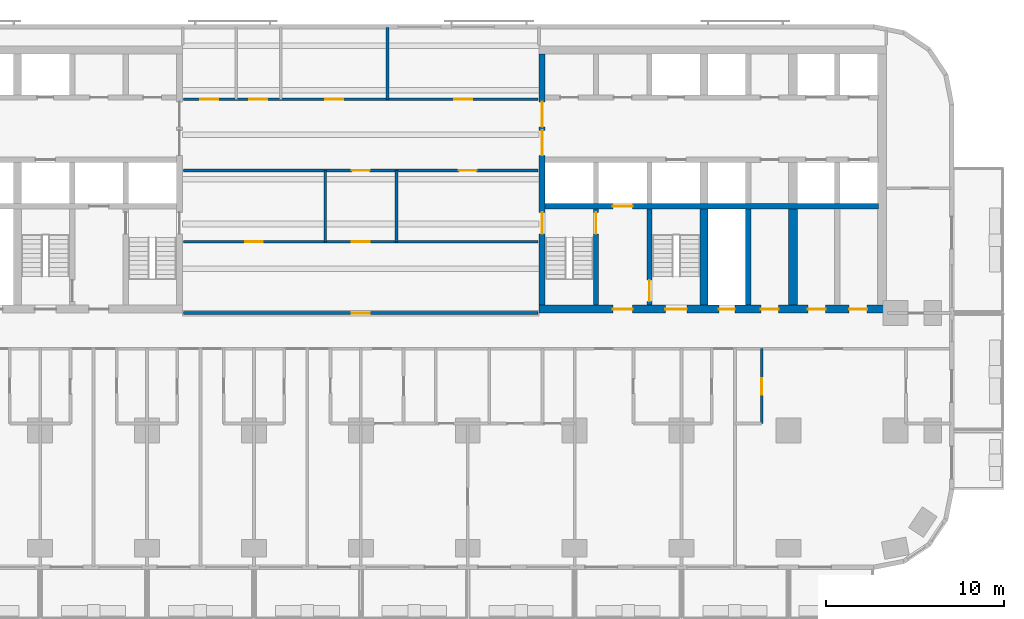
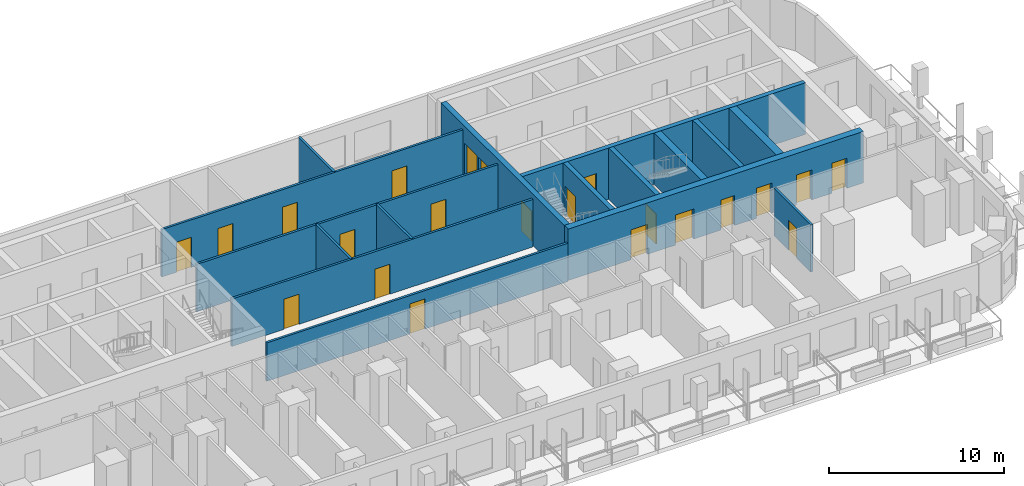
# One storey, part 6 of 13: 22 doors, 16 walls, 22 openings.
"""IFC4 building model written with IfcOpenShell, lengths in metres."""

from ifc_helpers import new_model, si_unit, direction, frame, frame_2d, origin, place, context, subcontext, project, spatial, rectangle, extrude, material, layer, layer_set, type_object, element, fill, save


model = new_model("IFC4")

# Units and contexts
model_context = context("Model", 3, precision=1e-05, world=origin(), true_north=direction((0.0, 1.0)))
body_context = subcontext(model_context, "Body", "Model", "MODEL_VIEW")
ifc_project = project(units=[si_unit("LENGTHUNIT", "METRE"), si_unit("AREAUNIT", "SQUARE_METRE"), si_unit("VOLUMEUNIT", "CUBIC_METRE"), si_unit("PLANEANGLEUNIT", "RADIAN"), si_unit("MASSUNIT", "GRAM", prefix="KILO")], contexts=[model_context])

# Site, building, storey
site_placement = place(None, origin())
site = spatial("IfcSite", under=ifc_project, at=site_placement, CompositionType="ELEMENT")
building_placement = place(site_placement, origin())
building = spatial("IfcBuilding", under=site, at=building_placement, Name="Torana Hotel and Residences", CompositionType="ELEMENT")
storey_placement = place(building_placement, frame((0.0, 0.0, 56.39990234375)))
storey = spatial("IfcBuildingStorey", under=building, at=storey_placement, Name="L13", CompositionType="ELEMENT", Elevation=56.39990234375)

# Wall, opening, door
ifc_material_1 = material(Name="Concrete C80/95", Category="concrete")
ifc_layer_1 = layer(ifc_material_1, 0.300048828125)
ifc_layer_set_1 = layer_set([ifc_layer_1], Name="CORE WALL 300 C80/95")
wall_type_1 = type_object("IfcWallType", Name="CORE WALL 300 C80/95", PredefinedType="SHEAR", material=ifc_layer_set_1)
wall_1_placement = place(storey_placement, frame((10.35009765625, -9.0, 0.0), z_axis=(0.0, 0.0, 1.0), x_axis=(1.0, 0.0, 0.0)))
wall_1 = element("IfcWall", 1, at=wall_1_placement, inside=storey, type_object=wall_type_1, Name="Core wall E band", PredefinedType="SHEAR", context=body_context, shape_type="SweptSolid", body=[
    extrude(rectangle(XDim=18.699951171875, YDim=0.300048828125, at=frame_2d((9.35009765625, 0.0))), origin(), (0.0, 0.0, 1.0), 3.60009765625),
])
opening_1_placement = place(wall_1_placement, frame((3.800048828125, 0.0, 0.0)))
opening_1 = element("IfcOpeningElement", 2, at=opening_1_placement, cuts=wall_1, Name="Opening LD", PredefinedType="OPENING", context=body_context, shape_type="SweptSolid", body=[
    extrude(rectangle(XDim=1.10009765625, YDim=2.10009765625, at=frame_2d((0.550048828125, 1.050048828125))), frame((0.0, 0.159912109375, 0.0), z_axis=(0.0, -1.0, 0.0), x_axis=(1.0, 0.0, 0.0)), (0.0, 0.0, 1.0), 0.320068359375),
])
ifc_material_2 = material(Name="Stainless steel 316", Category="steel")
door_type_1 = type_object("IfcDoorType", Name="LIFT LANDING DOOR LD 1100x2100", OperationType="DOUBLE_DOOR_SLIDING", PredefinedType="USERDEFINED", material=ifc_material_2)
door_1_placement = place(opening_1_placement, origin())
door_1 = element("IfcDoor", 3, at=door_1_placement, inside=storey, type_object=door_type_1, Name="Lift landing door FF2 L13", ObjectType="LIFT LANDING DOOR", OperationType="DOUBLE_DOOR_SLIDING", OverallHeight=2.10009765625, OverallWidth=1.10009765625, PredefinedType="USERDEFINED", context=body_context, shape_type="SweptSolid", body=[
    extrude(rectangle(XDim=1.10009765625, YDim=2.10009765625, at=frame_2d((0.550048828125, 1.050048828125))), frame((0.0, 0.02490234375, 0.0), z_axis=(0.0, -1.0, 0.0), x_axis=(1.0, 0.0, 0.0)), (0.0, 0.0, 1.0), 0.050048828125),
])
fill(opening_1, door_1)

wall_2_placement = place(storey_placement, frame((13.199951171875, -14.550048828125, 0.0), z_axis=(0.0, 0.0, 1.0), x_axis=(0.0, 1.0, 0.0)))
wall_2 = element("IfcWall", 4, at=wall_2_placement, inside=storey, type_object=wall_type_1, Name="Core wall E x3.05-band", PredefinedType="SHEAR", context=body_context, shape_type="SweptSolid", body=[
    extrude(rectangle(XDim=5.400146484375, YDim=0.300048828125, at=frame_2d((2.7001953125, 0.0))), origin(), (0.0, 0.0, 1.0), 3.60009765625),
])
opening_2_placement = place(wall_2_placement, frame((4.0, 0.0, 0.0)))
opening_2 = element("IfcOpeningElement", 5, at=opening_2_placement, cuts=wall_2, Name="Opening L13-31", PredefinedType="OPENING", context=body_context, shape_type="SweptSolid", body=[
    extrude(rectangle(XDim=1.199951171875, YDim=2.10009765625, at=frame_2d((0.60009765625, 1.050048828125))), frame((0.0, 0.159912109375, 0.0), z_axis=(0.0, -1.0, 0.0), x_axis=(1.0, 0.0, 0.0)), (0.0, 0.0, 1.0), 0.320068359375),
])
ifc_material_3 = material(Name="Steel S235", Category="steel")
door_type_2 = type_object("IfcDoorType", Name="STAIR FIRE DOOR D3 1200x2100", OperationType="SINGLE_SWING_LEFT", PredefinedType="DOOR", material=ifc_material_3)
door_2_placement = place(opening_2_placement, origin())
door_2 = element("IfcDoor", 6, at=door_2_placement, inside=storey, type_object=door_type_2, Name="Stair-A-lobby door L13", OperationType="SINGLE_SWING_LEFT", OverallHeight=2.10009765625, OverallWidth=1.199951171875, PredefinedType="DOOR", context=body_context, shape_type="SweptSolid", body=[
    extrude(rectangle(XDim=1.199951171875, YDim=2.10009765625, at=frame_2d((0.60009765625, 1.050048828125))), frame((0.0, 0.02490234375, 0.0), z_axis=(0.0, -1.0, 0.0), x_axis=(1.0, 0.0, 0.0)), (0.0, 0.0, 1.0), 0.050048828125),
])
fill(opening_2, door_2)

wall_3_placement = place(storey_placement, frame((16.199951171875, -14.550048828125, 0.0), z_axis=(0.0, 0.0, 1.0), x_axis=(0.0, 1.0, 0.0)))
wall_3 = element("IfcWall", 7, at=wall_3_placement, inside=storey, type_object=wall_type_1, Name="Core wall E x6.05-band", PredefinedType="SHEAR", context=body_context, shape_type="SweptSolid", body=[
    extrude(rectangle(XDim=5.400146484375, YDim=0.300048828125, at=frame_2d((2.7001953125, 0.0))), origin(), (0.0, 0.0, 1.0), 3.60009765625),
])
opening_3_placement = place(wall_3_placement, frame((0.199951171875, 0.0, 0.0)))
opening_3 = element("IfcOpeningElement", 8, at=opening_3_placement, cuts=wall_3, Name="Opening L13-32", PredefinedType="OPENING", context=body_context, shape_type="SweptSolid", body=[
    extrude(rectangle(XDim=1.199951171875, YDim=2.10009765625, at=frame_2d((0.60009765625, 1.050048828125))), frame((0.0, 0.159912109375, 0.0), z_axis=(0.0, -1.0, 0.0), x_axis=(1.0, 0.0, 0.0)), (0.0, 0.0, 1.0), 0.320068359375),
])
door_3_placement = place(opening_3_placement, frame((0.60009765625, 0.0, 0.0), z_axis=(0.0, 0.0, 1.0), x_axis=(-1.0, 0.0, 0.0)))
door_3 = element("IfcDoor", 9, at=door_3_placement, inside=storey, type_object=door_type_2, Name="Stair-B-lobby door L13", OperationType="SINGLE_SWING_LEFT", OverallHeight=2.10009765625, OverallWidth=1.199951171875, PredefinedType="DOOR", context=body_context, shape_type="SweptSolid", body=[
    extrude(rectangle(XDim=1.199951171875, YDim=2.10009765625, at=frame_2d((0.0, 1.050048828125))), frame((0.0, -0.02490234375, 0.0), z_axis=(0.0, 1.0, 0.0), x_axis=(-1.0, 0.0, 0.0)), (0.0, 0.0, 1.0), 0.050048828125),
])
fill(opening_3, door_3)

# Wall
wall_4_placement = place(storey_placement, frame((21.75, -14.550048828125, 0.0), z_axis=(0.0, 0.0, 1.0), x_axis=(0.0, 1.0, 0.0)))
element("IfcWall", 10, at=wall_4_placement, inside=storey, type_object=wall_type_1, Name="Core wall E mm-band", PredefinedType="SHEAR", context=body_context, shape_type="SweptSolid", body=[
    extrude(rectangle(XDim=5.400146484375, YDim=0.300048828125, at=frame_2d((2.7001953125, 0.0))), origin(), (0.0, 0.0, 1.0), 3.60009765625),
])

# Wall, openings, doors
ifc_material_4 = material(Name="Concrete C80/95", Category="concrete")
ifc_layer_2 = layer(ifc_material_4, 0.35009765625)
ifc_layer_set_2 = layer_set([ifc_layer_2], Name="CORE WALL 350 C80/95")
wall_type_2 = type_object("IfcWallType", Name="CORE WALL 350 C80/95", PredefinedType="SHEAR", material=ifc_layer_set_2)
wall_5_placement = place(storey_placement, frame((10.175048828125, -14.550048828125, 0.0), z_axis=(0.0, 0.0, 1.0), x_axis=(0.0, 1.0, 0.0)))
wall_5 = element("IfcWall", 11, at=wall_5_placement, inside=storey, type_object=wall_type_2, Name="Core wall E arch", PredefinedType="SHEAR", context=body_context, shape_type="SweptSolid", body=[
    extrude(rectangle(XDim=14.10009765625, YDim=0.35009765625, at=frame_2d((7.050048828125, 0.0))), origin(), (0.0, 0.0, 1.0), 3.60009765625),
])
opening_4_placement = place(wall_5_placement, frame((8.39990234375, 0.0, 0.0)))
opening_4 = element("IfcOpeningElement", 12, at=opening_4_placement, cuts=wall_5, Name="Opening L13-17", PredefinedType="OPENING", context=body_context, shape_type="SweptSolid", body=[
    extrude(rectangle(XDim=1.39990234375, YDim=2.39990234375, at=frame_2d((0.699951171875, 1.199951171875))), frame((0.0, 0.18505859375, 0.0), z_axis=(0.0, -1.0, 0.0), x_axis=(1.0, 0.0, 0.0)), (0.0, 0.0, 1.0), 0.3701171875),
])
opening_5_placement = place(wall_5_placement, frame((10.0, 0.0, 0.0)))
opening_5 = element("IfcOpeningElement", 13, at=opening_5_placement, cuts=wall_5, Name="Opening L13-18", PredefinedType="OPENING", context=body_context, shape_type="SweptSolid", body=[
    extrude(rectangle(XDim=1.39990234375, YDim=2.39990234375, at=frame_2d((0.699951171875, 1.199951171875))), frame((0.0, 0.18505859375, 0.0), z_axis=(0.0, -1.0, 0.0), x_axis=(1.0, 0.0, 0.0)), (0.0, 0.0, 1.0), 0.3701171875),
])
opening_6_placement = place(wall_5_placement, frame((4.0, 0.0, 0.0)))
opening_6 = element("IfcOpeningElement", 14, at=opening_6_placement, cuts=wall_5, Name="Opening L13-19", PredefinedType="OPENING", context=body_context, shape_type="SweptSolid", body=[
    extrude(rectangle(XDim=1.199951171875, YDim=2.10009765625, at=frame_2d((0.60009765625, 1.050048828125))), frame((0.0, 0.18505859375, 0.0), z_axis=(0.0, -1.0, 0.0), x_axis=(1.0, 0.0, 0.0)), (0.0, 0.0, 1.0), 0.3701171875),
])
ifc_material_5 = material(Name="Steel S235", Category="steel")
door_type_3 = type_object("IfcDoorType", Name="LOBBY FIRE DOOR D4 1400x2400", OperationType="DOUBLE_DOOR_SINGLE_SWING", PredefinedType="DOOR", material=ifc_material_5)
door_4_placement = place(opening_4_placement, origin())
door_4 = element("IfcDoor", 15, at=door_4_placement, inside=storey, type_object=door_type_3, Name="Lobby-1 door L13", OperationType="DOUBLE_DOOR_SINGLE_SWING", OverallHeight=2.39990234375, OverallWidth=1.39990234375, PredefinedType="DOOR", context=body_context, shape_type="SweptSolid", body=[
    extrude(rectangle(XDim=1.39990234375, YDim=2.39990234375, at=frame_2d((0.699951171875, 1.199951171875))), frame((0.0, 0.02490234375, 0.0), z_axis=(0.0, -1.0, 0.0), x_axis=(1.0, 0.0, 0.0)), (0.0, 0.0, 1.0), 0.050048828125),
])
fill(opening_4, door_4)
door_5_placement = place(opening_5_placement, origin())
door_5 = element("IfcDoor", 16, at=door_5_placement, inside=storey, type_object=door_type_3, Name="Lobby-2 door L13", OperationType="DOUBLE_DOOR_SINGLE_SWING", OverallHeight=2.39990234375, OverallWidth=1.39990234375, PredefinedType="DOOR", context=body_context, shape_type="SweptSolid", body=[
    extrude(rectangle(XDim=1.39990234375, YDim=2.39990234375, at=frame_2d((0.699951171875, 1.199951171875))), frame((0.0, 0.02490234375, 0.0), z_axis=(0.0, -1.0, 0.0), x_axis=(1.0, 0.0, 0.0)), (0.0, 0.0, 1.0), 0.050048828125),
])
fill(opening_5, door_5)
door_6_placement = place(opening_6_placement, frame((0.60009765625, 0.0, 0.0), z_axis=(0.0, 0.0, 1.0), x_axis=(-1.0, 0.0, 0.0)))
door_6 = element("IfcDoor", 17, at=door_6_placement, inside=storey, type_object=door_type_2, Name="Stair-A door L13", OperationType="SINGLE_SWING_RIGHT", OverallHeight=2.10009765625, OverallWidth=1.199951171875, PredefinedType="DOOR", context=body_context, shape_type="SweptSolid", body=[
    extrude(rectangle(XDim=1.199951171875, YDim=2.10009765625, at=frame_2d((0.0, 1.050048828125))), frame((0.0, -0.02490234375, 0.0), z_axis=(0.0, 1.0, 0.0), x_axis=(-1.0, 0.0, 0.0)), (0.0, 0.0, 1.0), 0.050048828125),
])
fill(opening_6, door_6)

ifc_material_6 = material(Name="Concrete C80/95", Category="concrete")
ifc_layer_3 = layer(ifc_material_6, 0.449951171875)
ifc_layer_set_3 = layer_set([ifc_layer_3], Name="CORE WALL 450 C80/95")
wall_type_3 = type_object("IfcWallType", Name="CORE WALL 450 C80/95", PredefinedType="SHEAR", material=ifc_layer_set_3)
wall_6_placement = place(storey_placement, frame((10.0, -14.77490234375, 0.0), z_axis=(0.0, 0.0, 1.0), x_axis=(1.0, 0.0, 0.0)))
wall_6 = element("IfcWall", 18, at=wall_6_placement, inside=storey, type_object=wall_type_3, Name="Core wall E front", PredefinedType="SHEAR", context=body_context, shape_type="SweptSolid", body=[
    extrude(rectangle(XDim=19.5, YDim=0.449951171875, at=frame_2d((9.75, 0.0))), origin(), (0.0, 0.0, 1.0), 3.60009765625),
])
opening_7_placement = place(wall_6_placement, frame((7.10009765625, 0.0, 0.0)))
opening_7 = element("IfcOpeningElement", 19, at=opening_7_placement, cuts=wall_6, Name="Opening L13-20", PredefinedType="OPENING", context=body_context, shape_type="SweptSolid", body=[
    extrude(rectangle(XDim=1.199951171875, YDim=2.10009765625, at=frame_2d((0.60009765625, 1.050048828125))), frame((0.0, 0.23486328125, 0.0), z_axis=(0.0, -1.0, 0.0), x_axis=(1.0, 0.0, 0.0)), (0.0, 0.0, 1.0), 0.469970703125),
])
opening_8_placement = place(wall_6_placement, frame((4.14990234375, 0.0, 0.0)))
opening_8 = element("IfcOpeningElement", 20, at=opening_8_placement, cuts=wall_6, Name="Opening L13-21", PredefinedType="OPENING", context=body_context, shape_type="SweptSolid", body=[
    extrude(rectangle(XDim=1.10009765625, YDim=2.10009765625, at=frame_2d((0.550048828125, 1.050048828125))), frame((0.0, 0.23486328125, 0.0), z_axis=(0.0, -1.0, 0.0), x_axis=(1.0, 0.0, 0.0)), (0.0, 0.0, 1.0), 0.469970703125),
])
opening_9_placement = place(wall_6_placement, frame((10.10009765625, 0.0, 0.0)))
opening_9 = element("IfcOpeningElement", 21, at=opening_9_placement, cuts=wall_6, Name="Opening L13-22", PredefinedType="OPENING", context=body_context, shape_type="SweptSolid", body=[
    extrude(rectangle(XDim=0.89990234375, YDim=2.10009765625, at=frame_2d((0.449951171875, 1.050048828125))), frame((0.0, 0.23486328125, 0.0), z_axis=(0.0, -1.0, 0.0), x_axis=(1.0, 0.0, 0.0)), (0.0, 0.0, 1.0), 0.469970703125),
])
opening_10_placement = place(wall_6_placement, frame((12.449951171875, 0.0, 0.0)))
opening_10 = element("IfcOpeningElement", 22, at=opening_10_placement, cuts=wall_6, Name="Opening L13-23", PredefinedType="OPENING", context=body_context, shape_type="SweptSolid", body=[
    extrude(rectangle(XDim=1.0, YDim=2.10009765625, at=frame_2d((0.5, 1.050048828125))), frame((0.0, 0.23486328125, 0.0), z_axis=(0.0, -1.0, 0.0), x_axis=(1.0, 0.0, 0.0)), (0.0, 0.0, 1.0), 0.469970703125),
])
opening_11_placement = place(wall_6_placement, frame((15.08740234375, 0.0, 0.0)))
opening_11 = element("IfcOpeningElement", 23, at=opening_11_placement, cuts=wall_6, Name="Opening L13-24", PredefinedType="OPENING", context=body_context, shape_type="SweptSolid", body=[
    extrude(rectangle(XDim=1.0, YDim=2.10009765625, at=frame_2d((0.5, 1.050048828125))), frame((0.0, 0.23486328125, 0.0), z_axis=(0.0, -1.0, 0.0), x_axis=(1.0, 0.0, 0.0)), (0.0, 0.0, 1.0), 0.469970703125),
])
opening_12_placement = place(wall_6_placement, frame((17.41259765625, 0.0, 0.0)))
opening_12 = element("IfcOpeningElement", 24, at=opening_12_placement, cuts=wall_6, Name="Opening L13-25", PredefinedType="OPENING", context=body_context, shape_type="SweptSolid", body=[
    extrude(rectangle(XDim=1.0, YDim=2.10009765625, at=frame_2d((0.5, 1.050048828125))), frame((0.0, 0.23486328125, 0.0), z_axis=(0.0, -1.0, 0.0), x_axis=(1.0, 0.0, 0.0)), (0.0, 0.0, 1.0), 0.469970703125),
])
ifc_material_7 = material(Name="Steel S235", Category="steel")
door_type_4 = type_object("IfcDoorType", Name="CORE ROOM FIRE DOOR D14 1000x2100", OperationType="SINGLE_SWING_LEFT", PredefinedType="DOOR", material=ifc_material_7)
door_7_placement = place(opening_10_placement, origin())
door_7 = element("IfcDoor", 25, at=door_7_placement, inside=storey, type_object=door_type_4, Name="M-Room door L13", OperationType="SINGLE_SWING_RIGHT", OverallHeight=2.10009765625, OverallWidth=1.0, PredefinedType="DOOR", context=body_context, shape_type="SweptSolid", body=[
    extrude(rectangle(XDim=1.0, YDim=2.10009765625, at=frame_2d((0.5, 1.050048828125))), frame((0.0, 0.02490234375, 0.0), z_axis=(0.0, -1.0, 0.0), x_axis=(1.0, 0.0, 0.0)), (0.0, 0.0, 1.0), 0.050048828125),
])
fill(opening_10, door_7)
door_8_placement = place(opening_11_placement, origin())
door_8 = element("IfcDoor", 26, at=door_8_placement, inside=storey, type_object=door_type_4, Name="L-A door L13", OperationType="SINGLE_SWING_RIGHT", OverallHeight=2.10009765625, OverallWidth=1.0, PredefinedType="DOOR", context=body_context, shape_type="SweptSolid", body=[
    extrude(rectangle(XDim=1.0, YDim=2.10009765625, at=frame_2d((0.5, 1.050048828125))), frame((0.0, 0.02490234375, 0.0), z_axis=(0.0, -1.0, 0.0), x_axis=(1.0, 0.0, 0.0)), (0.0, 0.0, 1.0), 0.050048828125),
])
fill(opening_11, door_8)
door_9_placement = place(opening_12_placement, origin())
door_9 = element("IfcDoor", 27, at=door_9_placement, inside=storey, type_object=door_type_4, Name="L-B door L13", OperationType="SINGLE_SWING_RIGHT", OverallHeight=2.10009765625, OverallWidth=1.0, PredefinedType="DOOR", context=body_context, shape_type="SweptSolid", body=[
    extrude(rectangle(XDim=1.0, YDim=2.10009765625, at=frame_2d((0.5, 1.050048828125))), frame((0.0, 0.02490234375, 0.0), z_axis=(0.0, -1.0, 0.0), x_axis=(1.0, 0.0, 0.0)), (0.0, 0.0, 1.0), 0.050048828125),
])
fill(opening_12, door_9)
ifc_material_8 = material(Name="Steel S235", Category="steel")
door_type_5 = type_object("IfcDoorType", Name="FIRE-FIGHTING LOBBY DOOR D8 1100x2100", OperationType="SINGLE_SWING_LEFT", PredefinedType="DOOR", material=ifc_material_8)
door_10_placement = place(opening_8_placement, origin())
door_10 = element("IfcDoor", 28, at=door_10_placement, inside=storey, type_object=door_type_5, Name="FF-lobby door L13", OperationType="SINGLE_SWING_RIGHT", OverallHeight=2.10009765625, OverallWidth=1.10009765625, PredefinedType="DOOR", context=body_context, shape_type="SweptSolid", body=[
    extrude(rectangle(XDim=1.10009765625, YDim=2.10009765625, at=frame_2d((0.550048828125, 1.050048828125))), frame((0.0, 0.02490234375, 0.0), z_axis=(0.0, -1.0, 0.0), x_axis=(1.0, 0.0, 0.0)), (0.0, 0.0, 1.0), 0.050048828125),
])
fill(opening_8, door_10)
ifc_material_9 = material(Name="Steel S235", Category="steel")
door_type_6 = type_object("IfcDoorType", Name="RISER ACCESS DOOR D5 900x2100", OperationType="SINGLE_SWING_LEFT", PredefinedType="DOOR", material=ifc_material_9)
door_11_placement = place(opening_9_placement, origin())
door_11 = element("IfcDoor", 29, at=door_11_placement, inside=storey, type_object=door_type_6, Name="M-Riser door L13", OperationType="SINGLE_SWING_RIGHT", OverallHeight=2.10009765625, OverallWidth=0.89990234375, PredefinedType="DOOR", context=body_context, shape_type="SweptSolid", body=[
    extrude(rectangle(XDim=0.89990234375, YDim=2.10009765625, at=frame_2d((0.449951171875, 1.050048828125))), frame((0.0, 0.02490234375, 0.0), z_axis=(0.0, -1.0, 0.0), x_axis=(1.0, 0.0, 0.0)), (0.0, 0.0, 1.0), 0.050048828125),
])
fill(opening_9, door_11)
door_12_placement = place(opening_7_placement, origin())
door_12 = element("IfcDoor", 30, at=door_12_placement, inside=storey, type_object=door_type_2, Name="Stair-B door L13", OperationType="SINGLE_SWING_RIGHT", OverallHeight=2.10009765625, OverallWidth=1.199951171875, PredefinedType="DOOR", context=body_context, shape_type="SweptSolid", body=[
    extrude(rectangle(XDim=1.199951171875, YDim=2.10009765625, at=frame_2d((0.60009765625, 1.050048828125))), frame((0.0, 0.02490234375, 0.0), z_axis=(0.0, -1.0, 0.0), x_axis=(1.0, 0.0, 0.0)), (0.0, 0.0, 1.0), 0.050048828125),
])
fill(opening_7, door_12)

# Walls
wall_7_placement = place(storey_placement, frame((19.27490234375, -14.550048828125, 0.0), z_axis=(0.0, 0.0, 1.0), x_axis=(0.0, 1.0, 0.0)))
element("IfcWall", 31, at=wall_7_placement, inside=storey, type_object=wall_type_3, Name="Core wall E hm-band", PredefinedType="SHEAR", context=body_context, shape_type="SweptSolid", body=[
    extrude(rectangle(XDim=5.400146484375, YDim=0.449951171875, at=frame_2d((2.7001953125, 0.0))), origin(), (0.0, 0.0, 1.0), 3.60009765625),
])
ifc_material_10 = material(Name="Concrete C80/95", Category="concrete")
ifc_layer_4 = layer(ifc_material_10, 0.5)
ifc_layer_set_4 = layer_set([ifc_layer_4], Name="CORE WALL 500 C80/95")
wall_type_4 = type_object("IfcWallType", Name="CORE WALL 500 C80/95", PredefinedType="SHEAR", material=ifc_layer_set_4)
wall_8_placement = place(storey_placement, frame((24.25, -14.550048828125, 0.0), z_axis=(0.0, 0.0, 1.0), x_axis=(0.0, 1.0, 0.0)))
element("IfcWall", 32, at=wall_8_placement, inside=storey, type_object=wall_type_4, Name="Core wall E ml-band", PredefinedType="SHEAR", context=body_context, shape_type="SweptSolid", body=[
    extrude(rectangle(XDim=5.400146484375, YDim=0.5, at=frame_2d((2.7001953125, 0.0))), origin(), (0.0, 0.0, 1.0), 3.60009765625),
])
ifc_material_11 = material(Name="Gypsum plaster")
ifc_layer_5 = layer(ifc_material_11, 0.014892578125, Name="Plaster", Category="finish")
ifc_material_12 = material(Name="Concrete blockwork", Category="masonry")
ifc_layer_6 = layer(ifc_material_12, 0.1201171875, Name="Blockwork", Category="structure")
ifc_layer_7 = layer(ifc_material_11, 0.014892578125, Name="Plaster", Category="finish")
ifc_layer_set_5 = layer_set([ifc_layer_5, ifc_layer_6, ifc_layer_7], Name="FIRE PARTITION 150 BLOCKWORK")
wall_type_5 = type_object("IfcWallType", Name="FIRE PARTITION 150 BLOCKWORK", PredefinedType="PARTITIONING", material=ifc_layer_set_5)
for number, where, z_axis, x_axis, name in (
    (33, (2.0, -11.0, 0.0), (0.0, 0.0, 1.0), (0.0, 1.0, 0.0), "Partition L13"),
    (34, (-2.0, -11.0, 0.0), (0.0, 0.0, 1.0), (0.0, 1.0, 0.0), "Partition L13"),
):
    element("IfcWall", number, at=place(storey_placement, frame(where, z_axis=z_axis, x_axis=x_axis)), inside=storey, type_object=wall_type_5, Name=name, PredefinedType="PARTITIONING", context=body_context, shape_type="SweptSolid", body=[
        extrude(rectangle(XDim=4.0, YDim=0.14990234375, at=frame_2d((2.0, 0.0))), origin(), (0.0, 0.0, 1.0), 3.320068359375),
    ])

# Wall, opening, door
wall_9_placement = place(storey_placement, frame((-9.949951171875, -15.0, 0.0), z_axis=(0.0, 0.0, 1.0), x_axis=(1.0, 0.0, 0.0)))
wall_9 = element("IfcWall", 35, at=wall_9_placement, inside=storey, type_object=wall_type_5, Name="Partition L13", PredefinedType="PARTITIONING", context=body_context, shape_type="SweptSolid", body=[
    extrude(rectangle(XDim=19.89990234375, YDim=0.14990234375, at=frame_2d((9.949951171875, 0.0))), origin(), (0.0, 0.0, 1.0), 2.68408203125),
])
opening_13_placement = place(wall_9_placement, frame((9.449951171875, 0.0, 0.0)))
opening_13 = element("IfcOpeningElement", 36, at=opening_13_placement, cuts=wall_9, Name="Opening L13-33", PredefinedType="OPENING", context=body_context, shape_type="SweptSolid", body=[
    extrude(rectangle(XDim=1.0, YDim=2.10009765625, at=frame_2d((0.5, 1.050048828125))), frame((0.0, 0.0849609375, 0.0), z_axis=(0.0, -1.0, 0.0), x_axis=(1.0, 0.0, 0.0)), (0.0, 0.0, 1.0), 0.169921875),
])
ifc_material_13 = material(Name="Steel S235", Category="steel")
door_type_7 = type_object("IfcDoorType", Name="ENTRY FIRE DOOR D6 1000x2100", OperationType="SINGLE_SWING_LEFT", PredefinedType="DOOR", material=ifc_material_13)
door_13_placement = place(opening_13_placement, origin())
door_13 = element("IfcDoor", 37, at=door_13_placement, inside=storey, type_object=door_type_7, Name="Door L13", OperationType="SINGLE_SWING_RIGHT", OverallHeight=2.10009765625, OverallWidth=1.0, PredefinedType="DOOR", context=body_context, shape_type="SweptSolid", body=[
    extrude(rectangle(XDim=1.0, YDim=2.10009765625, at=frame_2d((0.5, 1.050048828125))), frame((0.0, 0.02490234375, 0.0), z_axis=(0.0, -1.0, 0.0), x_axis=(1.0, 0.0, 0.0)), (0.0, 0.0, 1.0), 0.050048828125),
])
fill(opening_13, door_13)

# Wall, openings, doors
wall_10_placement = place(storey_placement, frame((-9.949951171875, -11.0, 0.0), z_axis=(0.0, 0.0, 1.0), x_axis=(1.0, 0.0, 0.0)))
wall_10 = element("IfcWall", 38, at=wall_10_placement, inside=storey, type_object=wall_type_5, Name="Partition L13", PredefinedType="PARTITIONING", context=body_context, shape_type="SweptSolid", body=[
    extrude(rectangle(XDim=19.89990234375, YDim=0.14990234375, at=frame_2d((9.949951171875, 0.0))), origin(), (0.0, 0.0, 1.0), 3.320068359375),
])
opening_14_placement = place(wall_10_placement, frame((9.449951171875, 0.0, 0.0)))
opening_14 = element("IfcOpeningElement", 39, at=opening_14_placement, cuts=wall_10, Name="Opening L13-48", PredefinedType="OPENING", context=body_context, shape_type="SweptSolid", body=[
    extrude(rectangle(XDim=1.0, YDim=2.10009765625, at=frame_2d((0.5, 1.050048828125))), frame((0.0, 0.0849609375, 0.0), z_axis=(0.0, -1.0, 0.0), x_axis=(1.0, 0.0, 0.0)), (0.0, 0.0, 1.0), 0.169921875),
])
opening_15_placement = place(wall_10_placement, frame((3.449951171875, 0.0, 0.0)))
opening_15 = element("IfcOpeningElement", 40, at=opening_15_placement, cuts=wall_10, Name="Opening L13-49", PredefinedType="OPENING", context=body_context, shape_type="SweptSolid", body=[
    extrude(rectangle(XDim=1.0, YDim=2.10009765625, at=frame_2d((0.5, 1.050048828125))), frame((0.0, 0.0849609375, 0.0), z_axis=(0.0, -1.0, 0.0), x_axis=(1.0, 0.0, 0.0)), (0.0, 0.0, 1.0), 0.169921875),
])
door_14_placement = place(opening_14_placement, origin())
door_14 = element("IfcDoor", 41, at=door_14_placement, inside=storey, type_object=door_type_7, Name="Door L13", OperationType="SINGLE_SWING_RIGHT", OverallHeight=2.10009765625, OverallWidth=1.0, PredefinedType="DOOR", context=body_context, shape_type="SweptSolid", body=[
    extrude(rectangle(XDim=1.0, YDim=2.10009765625, at=frame_2d((0.5, 1.050048828125))), frame((0.0, 0.02490234375, 0.0), z_axis=(0.0, -1.0, 0.0), x_axis=(1.0, 0.0, 0.0)), (0.0, 0.0, 1.0), 0.050048828125),
])
fill(opening_14, door_14)
door_15_placement = place(opening_15_placement, origin())
door_15 = element("IfcDoor", 42, at=door_15_placement, inside=storey, type_object=door_type_7, Name="Door L13", OperationType="SINGLE_SWING_RIGHT", OverallHeight=2.10009765625, OverallWidth=1.0, PredefinedType="DOOR", context=body_context, shape_type="SweptSolid", body=[
    extrude(rectangle(XDim=1.0, YDim=2.10009765625, at=frame_2d((0.5, 1.050048828125))), frame((0.0, 0.02490234375, 0.0), z_axis=(0.0, -1.0, 0.0), x_axis=(1.0, 0.0, 0.0)), (0.0, 0.0, 1.0), 0.050048828125),
])
fill(opening_15, door_15)

wall_11_placement = place(storey_placement, frame((-9.949951171875, -7.0, 0.0), z_axis=(0.0, 0.0, 1.0), x_axis=(1.0, 0.0, 0.0)))
wall_11 = element("IfcWall", 43, at=wall_11_placement, inside=storey, type_object=wall_type_5, Name="Partition L13", PredefinedType="PARTITIONING", context=body_context, shape_type="SweptSolid", body=[
    extrude(rectangle(XDim=19.89990234375, YDim=0.14990234375, at=frame_2d((9.949951171875, 0.0))), origin(), (0.0, 0.0, 1.0), 3.320068359375),
])
opening_16_placement = place(wall_11_placement, frame((9.449951171875, 0.0, 0.0)))
opening_16 = element("IfcOpeningElement", 44, at=opening_16_placement, cuts=wall_11, Name="Opening L13-50", PredefinedType="OPENING", context=body_context, shape_type="SweptSolid", body=[
    extrude(rectangle(XDim=1.0, YDim=2.10009765625, at=frame_2d((0.5, 1.050048828125))), frame((0.0, 0.0849609375, 0.0), z_axis=(0.0, -1.0, 0.0), x_axis=(1.0, 0.0, 0.0)), (0.0, 0.0, 1.0), 0.169921875),
])
opening_17_placement = place(wall_11_placement, frame((15.449951171875, 0.0, 0.0)))
opening_17 = element("IfcOpeningElement", 45, at=opening_17_placement, cuts=wall_11, Name="Opening L13-51", PredefinedType="OPENING", context=body_context, shape_type="SweptSolid", body=[
    extrude(rectangle(XDim=1.0, YDim=2.10009765625, at=frame_2d((0.5, 1.050048828125))), frame((0.0, 0.0849609375, 0.0), z_axis=(0.0, -1.0, 0.0), x_axis=(1.0, 0.0, 0.0)), (0.0, 0.0, 1.0), 0.169921875),
])
door_16_placement = place(opening_16_placement, origin())
door_16 = element("IfcDoor", 46, at=door_16_placement, inside=storey, type_object=door_type_7, Name="Door L13", OperationType="SINGLE_SWING_RIGHT", OverallHeight=2.10009765625, OverallWidth=1.0, PredefinedType="DOOR", context=body_context, shape_type="SweptSolid", body=[
    extrude(rectangle(XDim=1.0, YDim=2.10009765625, at=frame_2d((0.5, 1.050048828125))), frame((0.0, 0.02490234375, 0.0), z_axis=(0.0, -1.0, 0.0), x_axis=(1.0, 0.0, 0.0)), (0.0, 0.0, 1.0), 0.050048828125),
])
fill(opening_16, door_16)
door_17_placement = place(opening_17_placement, frame((0.5, 0.0, 0.0), z_axis=(0.0, 0.0, 1.0), x_axis=(-1.0, 0.0, 0.0)))
door_17 = element("IfcDoor", 47, at=door_17_placement, inside=storey, type_object=door_type_7, Name="Door L13", OperationType="SINGLE_SWING_LEFT", OverallHeight=2.10009765625, OverallWidth=1.0, PredefinedType="DOOR", context=body_context, shape_type="SweptSolid", body=[
    extrude(rectangle(XDim=1.0, YDim=2.10009765625, at=frame_2d((0.0, 1.050048828125))), frame((0.0, -0.02490234375, 0.0), z_axis=(0.0, 1.0, 0.0), x_axis=(-1.0, 0.0, 0.0)), (0.0, 0.0, 1.0), 0.050048828125),
])
fill(opening_17, door_17)

wall_12_placement = place(storey_placement, frame((-9.949951171875, -3.0, 0.0), z_axis=(0.0, 0.0, 1.0), x_axis=(1.0, 0.0, 0.0)))
wall_12 = element("IfcWall", 48, at=wall_12_placement, inside=storey, type_object=wall_type_5, Name="Partition L13", PredefinedType="PARTITIONING", context=body_context, shape_type="SweptSolid", body=[
    extrude(rectangle(XDim=19.89990234375, YDim=0.14990234375, at=frame_2d((9.949951171875, 0.0))), origin(), (0.0, 0.0, 1.0), 3.320068359375),
])
opening_18_placement = place(wall_12_placement, frame((0.949951171875, 0.0, 0.0)))
opening_18 = element("IfcOpeningElement", 49, at=opening_18_placement, cuts=wall_12, Name="Opening L13-52", PredefinedType="OPENING", context=body_context, shape_type="SweptSolid", body=[
    extrude(rectangle(XDim=1.0, YDim=2.10009765625, at=frame_2d((0.5, 1.050048828125))), frame((0.0, 0.0849609375, 0.0), z_axis=(0.0, -1.0, 0.0), x_axis=(1.0, 0.0, 0.0)), (0.0, 0.0, 1.0), 0.169921875),
])
opening_19_placement = place(wall_12_placement, frame((3.699951171875, 0.0, 0.0)))
opening_19 = element("IfcOpeningElement", 50, at=opening_19_placement, cuts=wall_12, Name="Opening L13-53", PredefinedType="OPENING", context=body_context, shape_type="SweptSolid", body=[
    extrude(rectangle(XDim=1.0, YDim=2.10009765625, at=frame_2d((0.5, 1.050048828125))), frame((0.0, 0.0849609375, 0.0), z_axis=(0.0, -1.0, 0.0), x_axis=(1.0, 0.0, 0.0)), (0.0, 0.0, 1.0), 0.169921875),
])
opening_20_placement = place(wall_12_placement, frame((7.949951171875, 0.0, 0.0)))
opening_20 = element("IfcOpeningElement", 51, at=opening_20_placement, cuts=wall_12, Name="Opening L13-54", PredefinedType="OPENING", context=body_context, shape_type="SweptSolid", body=[
    extrude(rectangle(XDim=1.0, YDim=2.10009765625, at=frame_2d((0.5, 1.050048828125))), frame((0.0, 0.0849609375, 0.0), z_axis=(0.0, -1.0, 0.0), x_axis=(1.0, 0.0, 0.0)), (0.0, 0.0, 1.0), 0.169921875),
])
opening_21_placement = place(wall_12_placement, frame((15.199951171875, 0.0, 0.0)))
opening_21 = element("IfcOpeningElement", 52, at=opening_21_placement, cuts=wall_12, Name="Opening L13-55", PredefinedType="OPENING", context=body_context, shape_type="SweptSolid", body=[
    extrude(rectangle(XDim=1.0, YDim=2.10009765625, at=frame_2d((0.5, 1.050048828125))), frame((0.0, 0.0849609375, 0.0), z_axis=(0.0, -1.0, 0.0), x_axis=(1.0, 0.0, 0.0)), (0.0, 0.0, 1.0), 0.169921875),
])
door_18_placement = place(opening_18_placement, origin())
door_18 = element("IfcDoor", 53, at=door_18_placement, inside=storey, type_object=door_type_7, Name="Door L13", OperationType="SINGLE_SWING_RIGHT", OverallHeight=2.10009765625, OverallWidth=1.0, PredefinedType="DOOR", context=body_context, shape_type="SweptSolid", body=[
    extrude(rectangle(XDim=1.0, YDim=2.10009765625, at=frame_2d((0.5, 1.050048828125))), frame((0.0, 0.02490234375, 0.0), z_axis=(0.0, -1.0, 0.0), x_axis=(1.0, 0.0, 0.0)), (0.0, 0.0, 1.0), 0.050048828125),
])
fill(opening_18, door_18)
door_19_placement = place(opening_19_placement, origin())
door_19 = element("IfcDoor", 54, at=door_19_placement, inside=storey, type_object=door_type_7, Name="Door L13", OperationType="SINGLE_SWING_RIGHT", OverallHeight=2.10009765625, OverallWidth=1.0, PredefinedType="DOOR", context=body_context, shape_type="SweptSolid", body=[
    extrude(rectangle(XDim=1.0, YDim=2.10009765625, at=frame_2d((0.5, 1.050048828125))), frame((0.0, 0.02490234375, 0.0), z_axis=(0.0, -1.0, 0.0), x_axis=(1.0, 0.0, 0.0)), (0.0, 0.0, 1.0), 0.050048828125),
])
fill(opening_19, door_19)
door_20_placement = place(opening_20_placement, origin())
door_20 = element("IfcDoor", 55, at=door_20_placement, inside=storey, type_object=door_type_7, Name="Door L13", OperationType="SINGLE_SWING_RIGHT", OverallHeight=2.10009765625, OverallWidth=1.0, PredefinedType="DOOR", context=body_context, shape_type="SweptSolid", body=[
    extrude(rectangle(XDim=1.0, YDim=2.10009765625, at=frame_2d((0.5, 1.050048828125))), frame((0.0, 0.02490234375, 0.0), z_axis=(0.0, -1.0, 0.0), x_axis=(1.0, 0.0, 0.0)), (0.0, 0.0, 1.0), 0.050048828125),
])
fill(opening_20, door_20)
door_21_placement = place(opening_21_placement, origin())
door_21 = element("IfcDoor", 56, at=door_21_placement, inside=storey, type_object=door_type_7, Name="Door L13", OperationType="SINGLE_SWING_RIGHT", OverallHeight=2.10009765625, OverallWidth=1.0, PredefinedType="DOOR", context=body_context, shape_type="SweptSolid", body=[
    extrude(rectangle(XDim=1.0, YDim=2.10009765625, at=frame_2d((0.5, 1.050048828125))), frame((0.0, 0.02490234375, 0.0), z_axis=(0.0, -1.0, 0.0), x_axis=(1.0, 0.0, 0.0)), (0.0, 0.0, 1.0), 0.050048828125),
])
fill(opening_21, door_21)

# Wall, opening, door
ifc_material_14 = material(Name="Gypsum plasterboard")
ifc_layer_8 = layer(ifc_material_14, 0.012451171875, Name="Plasterboard", Category="finish")
ifc_layer_9 = layer(ifc_material_14, 0.012451171875, Name="Plasterboard", Category="finish")
ifc_material_15 = material(Name="Steel S280GD", Category="steel")
ifc_layer_10 = layer(ifc_material_15, 0.10009765625, Name="Steel studs with mineral wool", Category="insulation")
ifc_layer_11 = layer(ifc_material_14, 0.012451171875, Name="Plasterboard", Category="finish")
ifc_layer_12 = layer(ifc_material_14, 0.012451171875, Name="Plasterboard", Category="finish")
ifc_layer_set_6 = layer_set([ifc_layer_8, ifc_layer_9, ifc_layer_10, ifc_layer_11, ifc_layer_12], Name="PARTITION 150 PLASTERBOARD")
wall_type_6 = type_object("IfcWallType", Name="PARTITION 150 PLASTERBOARD", PredefinedType="PARTITIONING", material=ifc_layer_set_6)
wall_13_placement = place(storey_placement, frame((22.5, -21.199951171875, 0.0), z_axis=(0.0, 0.0, 1.0), x_axis=(0.0, 1.0, 0.0)))
wall_13 = element("IfcWall", 57, at=wall_13_placement, inside=storey, type_object=wall_type_6, Name="Partition L13", PredefinedType="PARTITIONING", context=body_context, shape_type="SweptSolid", body=[
    extrude(rectangle(XDim=4.199951171875, YDim=0.14990234375, at=frame_2d((2.10009765625, 0.0))), origin(), (0.0, 0.0, 1.0), 3.320068359375),
])
opening_22_placement = place(wall_13_placement, frame((1.6298828125, 0.0, 0.0)))
opening_22 = element("IfcOpeningElement", 58, at=opening_22_placement, cuts=wall_13, Name="Opening L13-73", PredefinedType="OPENING", context=body_context, shape_type="SweptSolid", body=[
    extrude(rectangle(XDim=0.89990234375, YDim=2.10009765625, at=frame_2d((0.449951171875, 1.050048828125))), frame((0.0, 0.0849609375, 0.0), z_axis=(0.0, -1.0, 0.0), x_axis=(1.0, 0.0, 0.0)), (0.0, 0.0, 1.0), 0.169921875),
])
ifc_material_16 = material(Name="Timber door, oiled ash", Category="wood")
door_type_8 = type_object("IfcDoorType", Name="ROOM DOOR D7 900x2100", OperationType="SINGLE_SWING_LEFT", PredefinedType="DOOR", material=ifc_material_16)
door_22_placement = place(opening_22_placement, origin())
door_22 = element("IfcDoor", 59, at=door_22_placement, inside=storey, type_object=door_type_8, Name="Door L13", OperationType="SINGLE_SWING_RIGHT", OverallHeight=2.10009765625, OverallWidth=0.89990234375, PredefinedType="DOOR", context=body_context, shape_type="SweptSolid", body=[
    extrude(rectangle(XDim=0.89990234375, YDim=2.10009765625, at=frame_2d((0.449951171875, 1.050048828125))), frame((0.0, 0.02490234375, 0.0), z_axis=(0.0, -1.0, 0.0), x_axis=(1.0, 0.0, 0.0)), (0.0, 0.0, 1.0), 0.050048828125),
])
fill(opening_22, door_22)

# Wall
wall_14_placement = place(storey_placement, frame((1.5, -3.0, 0.0), z_axis=(0.0, 0.0, 1.0), x_axis=(0.0, 1.0, 0.0)))
element("IfcWall", 60, at=wall_14_placement, inside=storey, type_object=wall_type_6, Name="Partition L13", PredefinedType="PARTITIONING", context=body_context, shape_type="SweptSolid", body=[
    extrude(rectangle(XDim=4.02001953125, YDim=0.14990234375, at=frame_2d((2.010009765625, 0.0))), origin(), (0.0, 0.0, 1.0), 3.320068359375),
])

save(model, "model.ifc")
